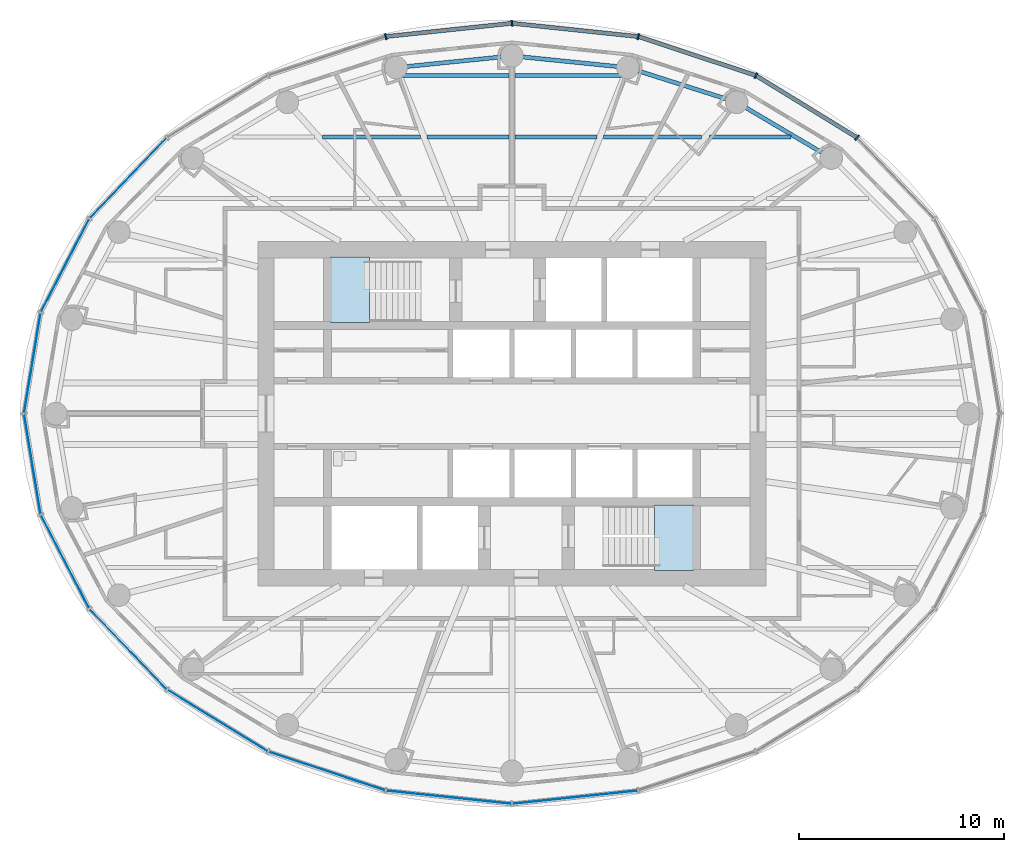
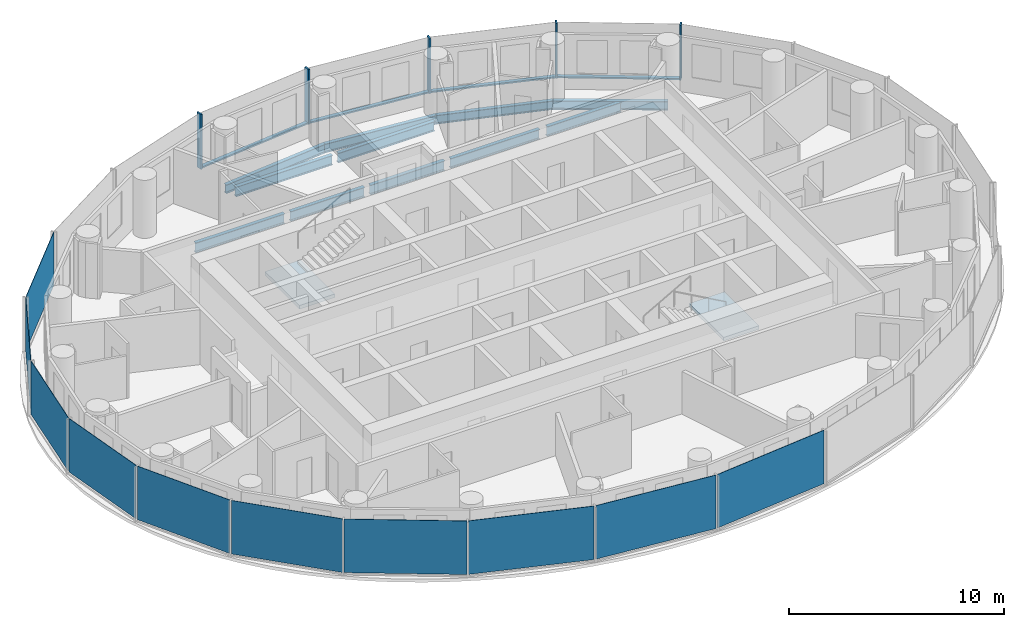
# One storey, part 4 of 16: 11 beams, 10 plates, 9 members, 2 slabs, 6 elements without a shape of their own.
"""IFC4 building model written with IfcOpenShell, lengths in metres."""

from ifc_helpers import new_model, si_unit, direction, frame, origin, origin_2d, place, context, subcontext, project, spatial, polyline, rectangle, i_section, outline, extrude, material, layer, layer_set, material_profile, profile_set, type_object, element, aggregate, save


model = new_model("IFC4")

# Units and contexts
model_context = context("Model", 3, precision=1e-05, world=origin(), true_north=direction((0.0, 1.0)))
body_context = subcontext(model_context, "Body", "Model", "MODEL_VIEW")
ifc_project = project(units=[si_unit("LENGTHUNIT", "METRE"), si_unit("AREAUNIT", "SQUARE_METRE"), si_unit("VOLUMEUNIT", "CUBIC_METRE"), si_unit("PLANEANGLEUNIT", "RADIAN"), si_unit("MASSUNIT", "GRAM", prefix="KILO")], contexts=[model_context])

# Site, building, storey
site_placement = place(None, origin())
site = spatial("IfcSite", under=ifc_project, at=site_placement, CompositionType="ELEMENT")
building_placement = place(site_placement, origin())
building = spatial("IfcBuilding", under=site, at=building_placement, Name="Hankou Lantern Tower", CompositionType="ELEMENT")
storey_placement = place(building_placement, frame((0.0, 0.0, 169.800048828125)))
storey = spatial("IfcBuildingStorey", under=building, at=storey_placement, Name="L45", CompositionType="ELEMENT", Elevation=169.800048828125)

# Beams
ifc_material_1 = material(Name="Steel Q355B", Category="steel")
ifc_material_profile_1 = material_profile(ifc_material_1, i_section(OverallWidth=0.199951171875, OverallDepth=0.5, WebThickness=0.010009765625, FlangeThickness=0.01611328125, FilletRadius=0.012939453125, at=origin_2d()), Name="HN500x200x10x16")
ifc_profile_set_1 = profile_set([ifc_material_profile_1], Name="Steel Q355B")
beam_type_1 = type_object("IfcBeamType", Name="EB5 RING BEAM HN500x200x10x16", PredefinedType="SPANDREL", material=ifc_profile_set_1)
beam_1_placement = place(storey_placement, frame((15.576171875, 12.4609375, -0.429931640625), z_axis=(-0.861135888339, 0.508374843806, 0.0), x_axis=(-0.508374843806, -0.861135888339, 0.0)))
element("IfcBeam", 1, at=beam_1_placement, inside=storey, type_object=beam_type_1, Name="Ring beam R04-R05 L45", PredefinedType="SPANDREL", context=body_context, shape_type="SweptSolid", body=[
    extrude(i_section(OverallWidth=0.199951171875, OverallDepth=0.5, WebThickness=0.010009765625, FlangeThickness=0.01611328125, FilletRadius=0.012939453125, at=origin_2d()), origin(), (0.0, 0.0, 1.0), 5.36083984375),
])
beam_2_placement = place(storey_placement, frame((10.959716796875, 15.186279296875, -0.429931640625), z_axis=(-0.952790404271, 0.30362879562, 0.0), x_axis=(-0.30362879562, -0.952790404271, 0.0)))
element("IfcBeam", 2, at=beam_2_placement, inside=storey, type_object=beam_type_1, Name="Ring beam R05-R06 L45", PredefinedType="SPANDREL", context=body_context, shape_type="SweptSolid", body=[
    extrude(i_section(OverallWidth=0.199951171875, OverallDepth=0.5, WebThickness=0.010009765625, FlangeThickness=0.01611328125, FilletRadius=0.012939453125, at=origin_2d()), origin(), (0.0, 0.0, 1.0), 5.56982421875),
])
for number, where, z_axis, x_axis, name in (
    (3, (5.65283203125, 16.87744140625, -0.429931640625), (-0.9949104636, 0.100762936734, 0.0), (-0.100762936734, -0.9949104636, 0.0), "Ring beam R06-R07 L45"),
    (4, (0.0, 17.449951171875, -0.429931640625), (-0.9949104636, -0.100762936734, 0.0), (0.100762936734, -0.9949104636, 0.0), "Ring beam R07-R08 L45"),
):
    element("IfcBeam", number, at=place(storey_placement, frame(where, z_axis=z_axis, x_axis=x_axis)), inside=storey, type_object=beam_type_1, Name=name, PredefinedType="SPANDREL", context=body_context, shape_type="SweptSolid", body=[
        extrude(i_section(OverallWidth=0.199951171875, OverallDepth=0.5, WebThickness=0.010009765625, FlangeThickness=0.01611328125, FilletRadius=0.012939453125, at=origin_2d()), origin(), (0.0, 0.0, 1.0), 5.681640625),
    ])

# Curtain wall, members
ifc_material_2 = material(Name="Glass, dark grey tinted laminated", Category="glass")
curtain_wall_type = type_object("IfcCurtainWallType", Name="CWC OUTER SKIN HIGH-RISE", PredefinedType="USERDEFINED", material=ifc_material_2)
curtain_wall_1_placement = place(storey_placement, origin())
curtain_wall_1 = element("IfcCurtainWall", 5, at=curtain_wall_1_placement, inside=storey, type_object=curtain_wall_type, Name="CWC L45 OS1", ObjectType="OUTER SKIN HIGH-RISE", PredefinedType="USERDEFINED")
ifc_material_3 = material(Name="Aluminium, black anodised", Category="aluminium")
ifc_material_profile_2 = material_profile(ifc_material_3, rectangle(XDim=0.080078125, YDim=0.300048828125, at=origin_2d()), Name="MU1 80X300")
ifc_profile_set_2 = profile_set([ifc_material_profile_2], Name="Aluminium, black anodised")
member_type_1 = type_object("IfcMemberType", Name="MU1 OUTER SKIN MULLION 80X300", PredefinedType="MULLION", material=ifc_profile_set_2)
member_1_placement = place(storey_placement, frame((16.8291015625, 13.46337890625, 0.0), z_axis=(0.0, 0.0, 1.0), x_axis=(-0.780868809444, 0.624695047553, 0.0)))
member_1 = element("IfcMember", 6, at=member_1_placement, type_object=member_type_1, Name="CWC mullion 4", PredefinedType="MULLION", context=body_context, shape_type="SweptSolid", body=[
    extrude(rectangle(XDim=0.080078125, YDim=0.300048828125, at=origin_2d()), origin(), (0.0, 0.0, 1.0), 3.119873046875),
])
member_2_placement = place(storey_placement, frame((11.89990234375, 16.489013671875, 0.0), z_axis=(0.0, 0.0, 1.0), x_axis=(-0.907841299004, 0.419313934686, 0.0)))
member_2 = element("IfcMember", 7, at=member_2_placement, type_object=member_type_1, Name="CWC mullion 5", PredefinedType="MULLION", context=body_context, shape_type="SweptSolid", body=[
    extrude(rectangle(XDim=0.080078125, YDim=0.300048828125, at=origin_2d()), origin(), (0.0, 0.0, 1.0), 3.119873046875),
])
member_3_placement = place(storey_placement, frame((6.159912109375, 18.39111328125, 0.0), z_axis=(0.0, 0.0, 1.0), x_axis=(-0.977787659625, 0.209597931016, 0.0)))
member_3 = element("IfcMember", 8, at=member_3_placement, type_object=member_type_1, Name="CWC mullion 6", PredefinedType="MULLION", context=body_context, shape_type="SweptSolid", body=[
    extrude(rectangle(XDim=0.080078125, YDim=0.300048828125, at=origin_2d()), origin(), (0.0, 0.0, 1.0), 3.119873046875),
])

curtain_wall_2_placement = place(storey_placement, origin())
curtain_wall_2 = element("IfcCurtainWall", 9, at=curtain_wall_2_placement, inside=storey, type_object=curtain_wall_type, Name="CWC L45 OS2", ObjectType="OUTER SKIN HIGH-RISE", PredefinedType="USERDEFINED")
member_4_placement = place(storey_placement, frame((0.0, 19.0400390625, 0.0), z_axis=(0.0, 0.0, 1.0), x_axis=(-0.994499359107, -0.104742659579, 0.0)))
member_4 = element("IfcMember", 10, at=member_4_placement, type_object=member_type_1, Name="CWC mullion 1", PredefinedType="MULLION", context=body_context, shape_type="SweptSolid", body=[
    extrude(rectangle(XDim=0.080078125, YDim=0.300048828125, at=origin_2d()), origin(), (0.0, 0.0, 1.0), 3.119873046875),
])
member_5_placement = place(storey_placement, frame((-6.159912109375, 18.39111328125, 0.0), z_axis=(0.0, 0.0, 1.0), x_axis=(-0.977787659625, -0.209597931016, 0.0)))
member_5 = element("IfcMember", 11, at=member_5_placement, type_object=member_type_1, Name="CWC mullion 2", PredefinedType="MULLION", context=body_context, shape_type="SweptSolid", body=[
    extrude(rectangle(XDim=0.080078125, YDim=0.300048828125, at=origin_2d()), origin(), (0.0, 0.0, 1.0), 3.119873046875),
])

# Beams
ifc_material_4 = material(Name="Steel Q355B", Category="steel")
ifc_material_profile_3 = material_profile(ifc_material_4, i_section(OverallWidth=0.199951171875, OverallDepth=0.550048828125, WebThickness=0.010009765625, FlangeThickness=0.01611328125, FilletRadius=0.012939453125, at=origin_2d()), Name="HN550x200x10x16")
ifc_profile_set_3 = profile_set([ifc_material_profile_3], Name="Steel Q355B")
beam_type_2 = type_object("IfcBeamType", Name="SB6 SECONDARY BEAM HN550x200x10x16", PredefinedType="JOIST", material=ifc_profile_set_3)
beam_3_placement = place(storey_placement, frame((-9.23974609375, 13.5, -0.455078125), z_axis=(1.0, 0.0, 0.0), x_axis=(0.0, 1.0, 0.0)))
element("IfcBeam", 12, at=beam_3_placement, inside=storey, type_object=beam_type_2, Name="Floor joist J036 L45", PredefinedType="JOIST", context=body_context, shape_type="SweptSolid", body=[
    extrude(i_section(OverallWidth=0.199951171875, OverallDepth=0.550048828125, WebThickness=0.010009765625, FlangeThickness=0.01611328125, FilletRadius=0.012939453125, at=origin_2d()), origin(), (0.0, 0.0, 1.0), 4.780517578125),
])
for number, where, z_axis, x_axis, name in (
    (13, (-4.135986328125, 13.5, -0.455078125), (1.0, 0.0, 0.0), (0.0, 1.0, 0.0), "Floor joist J037 L45"),
    (14, (0.14990234375, 13.5, -0.455078125), (1.0, 0.0, 0.0), (0.0, 1.0, 0.0), "Floor joist J038 L45"),
):
    element("IfcBeam", number, at=place(storey_placement, frame(where, z_axis=z_axis, x_axis=x_axis)), inside=storey, type_object=beam_type_2, Name=name, PredefinedType="JOIST", context=body_context, shape_type="SweptSolid", body=[
        extrude(i_section(OverallWidth=0.199951171875, OverallDepth=0.550048828125, WebThickness=0.010009765625, FlangeThickness=0.01611328125, FilletRadius=0.012939453125, at=origin_2d()), origin(), (0.0, 0.0, 1.0), 3.986083984375),
    ])
beam_4_placement = place(storey_placement, frame((4.459228515625, 13.5, -0.455078125), z_axis=(1.0, 0.0, 0.0), x_axis=(0.0, 1.0, 0.0)))
element("IfcBeam", 15, at=beam_4_placement, inside=storey, type_object=beam_type_2, Name="Floor joist J039 L45", PredefinedType="JOIST", context=body_context, shape_type="SweptSolid", body=[
    extrude(i_section(OverallWidth=0.199951171875, OverallDepth=0.550048828125, WebThickness=0.010009765625, FlangeThickness=0.01611328125, FilletRadius=0.012939453125, at=origin_2d()), origin(), (0.0, 0.0, 1.0), 4.780517578125),
])
beam_5_placement = place(storey_placement, frame((9.643310546875, 13.5, -0.455078125), z_axis=(1.0, 0.0, 0.0), x_axis=(0.0, 1.0, 0.0)))
element("IfcBeam", 16, at=beam_5_placement, inside=storey, type_object=beam_type_2, Name="Floor joist J040 L45", PredefinedType="JOIST", context=body_context, shape_type="SweptSolid", body=[
    extrude(i_section(OverallWidth=0.199951171875, OverallDepth=0.550048828125, WebThickness=0.010009765625, FlangeThickness=0.01611328125, FilletRadius=0.012939453125, at=origin_2d()), origin(), (0.0, 0.0, 1.0), 3.97607421875),
])
for number, where, z_axis, x_axis, name in (
    (17, (-5.33984375, 16.5, -0.455078125), (1.0, 0.0, 0.0), (0.0, 1.0, 0.0), "Floor joist J041 L45"),
    (18, (0.14990234375, 16.5, -0.455078125), (1.0, 0.0, 0.0), (0.0, 1.0, 0.0), "Floor joist J042 L45"),
):
    element("IfcBeam", number, at=place(storey_placement, frame(where, z_axis=z_axis, x_axis=x_axis)), inside=storey, type_object=beam_type_2, Name=name, PredefinedType="JOIST", context=body_context, shape_type="SweptSolid", body=[
        extrude(i_section(OverallWidth=0.199951171875, OverallDepth=0.550048828125, WebThickness=0.010009765625, FlangeThickness=0.01611328125, FilletRadius=0.012939453125, at=origin_2d()), origin(), (0.0, 0.0, 1.0), 5.18994140625),
    ])

# Member
ifc_material_5 = material(Name="Aluminium, black anodised", Category="aluminium")
ifc_material_profile_4 = material_profile(ifc_material_5, rectangle(XDim=0.199951171875, YDim=0.080078125, at=origin_2d()), Name="TR1 200X80")
ifc_profile_set_4 = profile_set([ifc_material_profile_4], Name="Aluminium, black anodised")
member_type_2 = type_object("IfcMemberType", Name="TR1 OUTER SKIN TRANSOM 200X80", PredefinedType="USERDEFINED", material=ifc_profile_set_4)
member_6_placement = place(storey_placement, frame((16.795166015625, 13.484130859375, 0.0400390625), z_axis=(-0.852229482357, 0.523168146394, 0.0), x_axis=(-0.523168146394, -0.852229482357, 0.0)))
member_6 = element("IfcMember", 19, at=member_6_placement, type_object=member_type_2, Name="CWC transom 4", ObjectType="TRANSOM", PredefinedType="USERDEFINED", context=body_context, shape_type="SweptSolid", body=[
    extrude(rectangle(XDim=0.199951171875, YDim=0.080078125, at=origin_2d()), origin(), (0.0, 0.0, 1.0), 5.703857421875),
])

member_7_placement = place(storey_placement, frame((11.862060546875, 16.501708984375, 0.0400390625), z_axis=(-0.949242327551, 0.314545709849, 0.0), x_axis=(-0.314545709849, -0.949242327551, 0.0)))
member_7 = element("IfcMember", 20, at=member_7_placement, type_object=member_type_2, Name="CWC transom 5", ObjectType="TRANSOM", PredefinedType="USERDEFINED", context=body_context, shape_type="SweptSolid", body=[
    extrude(rectangle(XDim=0.199951171875, YDim=0.080078125, at=origin_2d()), origin(), (0.0, 0.0, 1.0), 5.96728515625),
])

member_8_placement = place(storey_placement, frame((6.1201171875, 18.3955078125, 0.0400390625), z_axis=(-0.994499543631, 0.104740907567, 0.0), x_axis=(-0.104740907567, -0.994499543631, 0.0)))
member_8 = element("IfcMember", 21, at=member_8_placement, type_object=member_type_2, Name="CWC transom 6", ObjectType="TRANSOM", PredefinedType="USERDEFINED", context=body_context, shape_type="SweptSolid", body=[
    extrude(rectangle(XDim=0.199951171875, YDim=0.080078125, at=origin_2d()), origin(), (0.0, 0.0, 1.0), 6.114013671875),
])

aggregate(curtain_wall_1, [member_1, member_2, member_3, member_6, member_7, member_8])

member_9_placement = place(storey_placement, frame((-0.039794921875, 19.035888671875, 0.0400390625), z_axis=(-0.994499543631, -0.104740907567, 0.0), x_axis=(0.104740907567, -0.994499543631, 0.0)))
member_9 = element("IfcMember", 22, at=member_9_placement, type_object=member_type_2, Name="CWC transom 1", ObjectType="TRANSOM", PredefinedType="USERDEFINED", context=body_context, shape_type="SweptSolid", body=[
    extrude(rectangle(XDim=0.199951171875, YDim=0.080078125, at=origin_2d()), origin(), (0.0, 0.0, 1.0), 6.114013671875),
])

# Plate
ifc_material_6 = material(Name="Glass, dark grey tinted laminated", Category="glass")
ifc_layer_1 = layer(ifc_material_6, 0.02392578125)
ifc_layer_set_1 = layer_set([ifc_layer_1], Name="Glass, dark grey tinted laminated")
plate_type = type_object("IfcPlateType", Name="PN1 OUTER SKIN GLASS PANEL", PredefinedType="CURTAIN_PANEL", material=ifc_layer_set_1)
plate_1_placement = place(storey_placement, frame((-18.72021484375, 11.49169921875, 0.079833984375), z_axis=(0.0, 0.0, 1.0), x_axis=(-0.692215809936, -0.721690565599, 0.0)))
plate_1 = element("IfcPlate", 23, at=plate_1_placement, type_object=plate_type, Name="CWC glass panel 4", PredefinedType="CURTAIN_PANEL", context=body_context, shape_type="SweptSolid", body=[
    extrude(rectangle(XDim=5.384033203125, YDim=0.02392578125, at=origin_2d()), origin(), (0.0, 0.0, 1.0), 3.0400390625),
])

plate_2_placement = place(storey_placement, frame((-21.80029296875, 7.223876953125, 0.079833984375), z_axis=(0.0, 0.0, 1.0), x_axis=(-0.459791091957, -0.888027112062, 0.0)))
plate_2 = element("IfcPlate", 24, at=plate_2_placement, type_object=plate_type, Name="CWC glass panel 5", PredefinedType="CURTAIN_PANEL", context=body_context, shape_type="SweptSolid", body=[
    extrude(rectangle(XDim=5.091064453125, YDim=0.02392578125, at=origin_2d()), origin(), (0.0, 0.0, 1.0), 3.0400390625),
])

plate_3_placement = place(storey_placement, frame((-23.39453125, 2.4638671875, 0.079833984375), z_axis=(0.0, 0.0, 1.0), x_axis=(-0.162381515188, -0.986728049427, 0.0)))
plate_3 = element("IfcPlate", 25, at=plate_3_placement, type_object=plate_type, Name="CWC glass panel 6", PredefinedType="CURTAIN_PANEL", context=body_context, shape_type="SweptSolid", body=[
    extrude(rectangle(XDim=4.914306640625, YDim=0.02392578125, at=origin_2d()), origin(), (0.0, 0.0, 1.0), 3.0400390625),
])

aggregate(curtain_wall_2, [member_4, member_5, member_9, plate_1, plate_2, plate_3])

# Curtain wall, plates
curtain_wall_3_placement = place(storey_placement, origin())
curtain_wall_3 = element("IfcCurtainWall", 26, at=curtain_wall_3_placement, inside=storey, type_object=curtain_wall_type, Name="CWC L45 OS3", ObjectType="OUTER SKIN HIGH-RISE", PredefinedType="USERDEFINED")
plate_4_placement = place(storey_placement, frame((-23.39453125, -2.4638671875, 0.079833984375), z_axis=(0.0, 0.0, 1.0), x_axis=(0.162381515188, -0.986728049427, 0.0)))
plate_4 = element("IfcPlate", 27, at=plate_4_placement, type_object=plate_type, Name="CWC glass panel 1", PredefinedType="CURTAIN_PANEL", context=body_context, shape_type="SweptSolid", body=[
    extrude(rectangle(XDim=4.914306640625, YDim=0.02392578125, at=origin_2d()), origin(), (0.0, 0.0, 1.0), 3.0400390625),
])
plate_5_placement = place(storey_placement, frame((-21.80029296875, -7.223876953125, 0.079833984375), z_axis=(0.0, 0.0, 1.0), x_axis=(0.459791091957, -0.888027112062, 0.0)))
plate_5 = element("IfcPlate", 28, at=plate_5_placement, type_object=plate_type, Name="CWC glass panel 2", PredefinedType="CURTAIN_PANEL", context=body_context, shape_type="SweptSolid", body=[
    extrude(rectangle(XDim=5.091064453125, YDim=0.02392578125, at=origin_2d()), origin(), (0.0, 0.0, 1.0), 3.0400390625),
])
plate_6_placement = place(storey_placement, frame((-18.72021484375, -11.49169921875, 0.079833984375), z_axis=(0.0, 0.0, 1.0), x_axis=(0.692215809936, -0.721690565599, 0.0)))
plate_6 = element("IfcPlate", 29, at=plate_6_placement, type_object=plate_type, Name="CWC glass panel 3", PredefinedType="CURTAIN_PANEL", context=body_context, shape_type="SweptSolid", body=[
    extrude(rectangle(XDim=5.384033203125, YDim=0.02392578125, at=origin_2d()), origin(), (0.0, 0.0, 1.0), 3.0400390625),
])
plate_7_placement = place(storey_placement, frame((-14.364501953125, -14.976318359375, 0.079833984375), z_axis=(0.0, 0.0, 1.0), x_axis=(0.852237151549, -0.523155653242, 0.0)))
plate_7 = element("IfcPlate", 30, at=plate_7_placement, type_object=plate_type, Name="CWC glass panel 4", PredefinedType="CURTAIN_PANEL", context=body_context, shape_type="SweptSolid", body=[
    extrude(rectangle(XDim=5.703857421875, YDim=0.02392578125, at=origin_2d()), origin(), (0.0, 0.0, 1.0), 3.0400390625),
])
plate_8_placement = place(storey_placement, frame((-9.030029296875, -17.440185546875, 0.079833984375), z_axis=(0.0, 0.0, 1.0), x_axis=(0.949240677293, -0.31455068999, 0.0)))
plate_8 = element("IfcPlate", 31, at=plate_8_placement, type_object=plate_type, Name="CWC glass panel 5", PredefinedType="CURTAIN_PANEL", context=body_context, shape_type="SweptSolid", body=[
    extrude(rectangle(XDim=5.967041015625, YDim=0.02392578125, at=origin_2d()), origin(), (0.0, 0.0, 1.0), 3.0400390625),
])
plate_9_placement = place(storey_placement, frame((-3.079833984375, -18.715576171875, 0.079833984375), z_axis=(0.0, 0.0, 1.0), x_axis=(0.994499359107, -0.104742659579, 0.0)))
plate_9 = element("IfcPlate", 32, at=plate_9_placement, type_object=plate_type, Name="CWC glass panel 6", PredefinedType="CURTAIN_PANEL", context=body_context, shape_type="SweptSolid", body=[
    extrude(rectangle(XDim=6.114013671875, YDim=0.02392578125, at=origin_2d()), origin(), (0.0, 0.0, 1.0), 3.0400390625),
])
aggregate(curtain_wall_3, [plate_4, plate_5, plate_6, plate_7, plate_8, plate_9])

# Curtain wall, plate
curtain_wall_4_placement = place(storey_placement, origin())
curtain_wall_4 = element("IfcCurtainWall", 33, at=curtain_wall_4_placement, inside=storey, type_object=curtain_wall_type, Name="CWC L45 OS4", ObjectType="OUTER SKIN HIGH-RISE", PredefinedType="USERDEFINED")
plate_10_placement = place(storey_placement, frame((3.079833984375, -18.715576171875, 0.079833984375), z_axis=(0.0, 0.0, 1.0), x_axis=(0.994499359107, 0.104742659579, 0.0)))
plate_10 = element("IfcPlate", 34, at=plate_10_placement, type_object=plate_type, Name="CWC glass panel 1", PredefinedType="CURTAIN_PANEL", context=body_context, shape_type="SweptSolid", body=[
    extrude(rectangle(XDim=6.114013671875, YDim=0.02392578125, at=origin_2d()), origin(), (0.0, 0.0, 1.0), 3.0400390625),
])
aggregate(curtain_wall_4, [plate_10])

# Stair, slab
ifc_material_7 = material(Name="Concrete C40", Category="concrete")
stair_type = type_object("IfcStairType", Name="ST33 CORE STAIR 3300 RISE", PredefinedType="HALF_TURN_STAIR", material=ifc_material_7)
stair_1_placement = place(storey_placement, origin())
stair_1 = element("IfcStair", 35, at=stair_1_placement, inside=storey, type_object=stair_type, Name="Stair STA L45", PredefinedType="HALF_TURN_STAIR")
ifc_material_8 = material(Name="Concrete C40", Category="concrete")
ifc_layer_2 = layer(ifc_material_8, 0.199951171875)
ifc_layer_set_2 = layer_set([ifc_layer_2], Name="Concrete C40")
slab_type = type_object("IfcSlabType", Name="SL1 STAIR LANDING 200", PredefinedType="LANDING", material=ifc_layer_set_2)
slab_1_placement = place(storey_placement, frame((0.0, 0.0, 1.371337890625)))
slab_1 = element("IfcSlab", 36, at=slab_1_placement, type_object=slab_type, Name="STA landing 1", PredefinedType="LANDING", context=body_context, shape_type="SweptSolid", body=[
    extrude(outline(polyline([(-8.85009765625, 4.449951171875), (-6.949951171875, 4.449951171875), (-6.949951171875, 7.64990234375), (-8.85009765625, 7.64990234375), (-8.85009765625, 4.449951171875)])), origin(), (0.0, 0.0, 1.0), 0.199951171875),
])
aggregate(stair_1, [slab_1])

stair_2_placement = place(storey_placement, origin())
stair_2 = element("IfcStair", 37, at=stair_2_placement, inside=storey, type_object=stair_type, Name="Stair STB L45", PredefinedType="HALF_TURN_STAIR")
slab_2_placement = place(storey_placement, frame((0.0, 0.0, 1.371337890625)))
slab_2 = element("IfcSlab", 38, at=slab_2_placement, type_object=slab_type, Name="STB landing 1", PredefinedType="LANDING", context=body_context, shape_type="SweptSolid", body=[
    extrude(outline(polyline([(8.85009765625, -4.449951171875), (6.949951171875, -4.449951171875), (6.949951171875, -7.64990234375), (8.85009765625, -7.64990234375), (8.85009765625, -4.449951171875)])), origin(), (0.0, 0.0, 1.0), 0.199951171875),
])
aggregate(stair_2, [slab_2])

save(model, "model.ifc")
